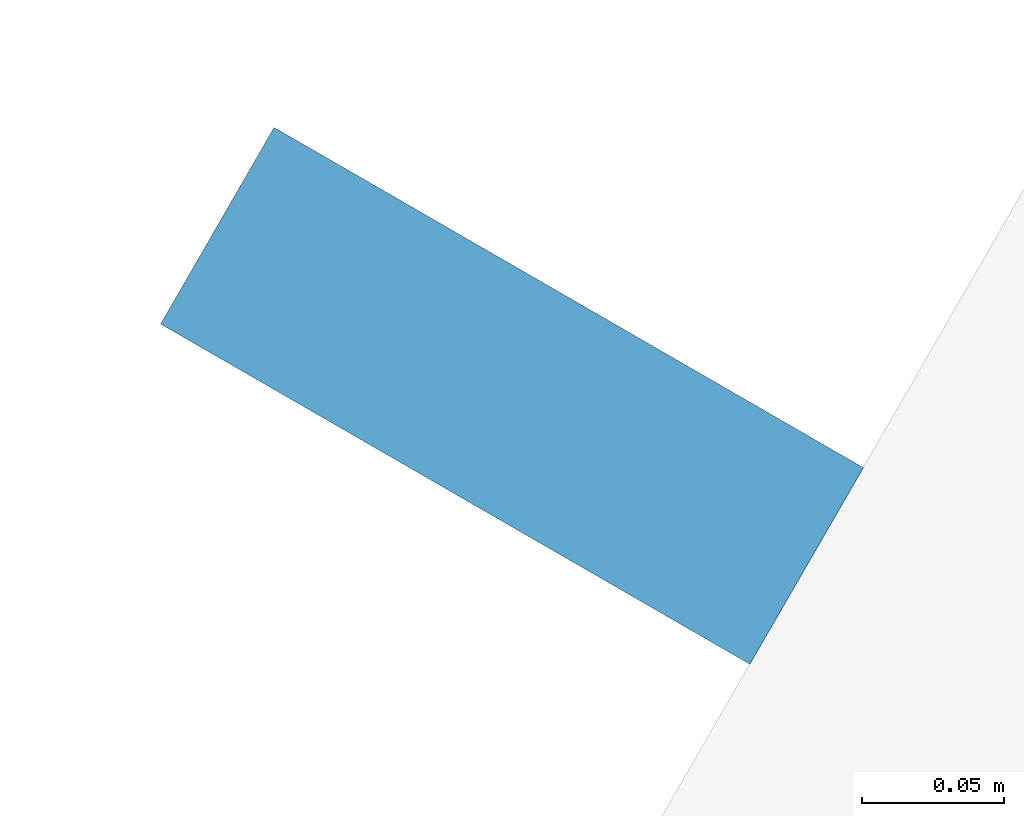
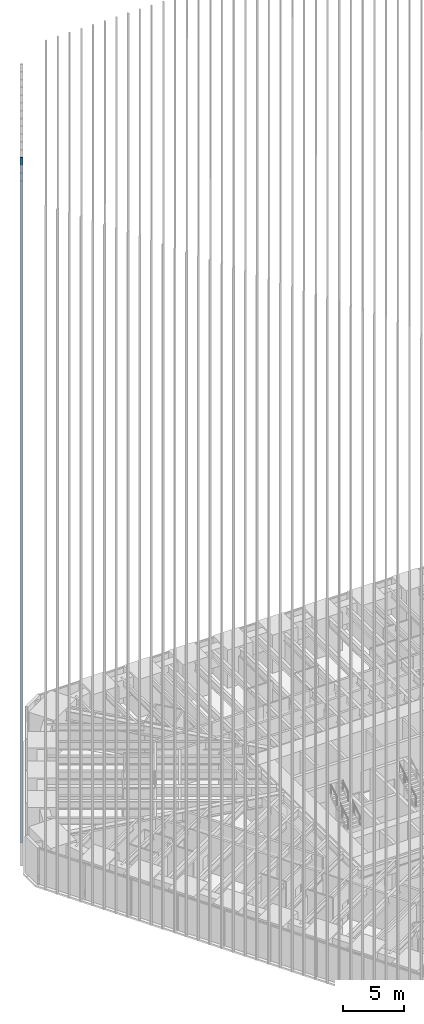
# One storey, part 140 of 256: 1 member, 1 element without a shape of its own.
"""IFC4 building model written with IfcOpenShell, lengths in metres."""

from ifc_helpers import new_model, si_unit, direction, frame, origin, origin_2d, place, context, subcontext, project, spatial, rectangle, extrude, material, material_profile, profile_set, type_object, element, aggregate, save


model = new_model("IFC4")

# Units and contexts
model_context = context("Model", 3, precision=1e-05, world=origin(), true_north=direction((0.0, 1.0)))
body_context = subcontext(model_context, "Body", "Model", "MODEL_VIEW")
ifc_project = project(units=[si_unit("LENGTHUNIT", "METRE"), si_unit("AREAUNIT", "SQUARE_METRE"), si_unit("VOLUMEUNIT", "CUBIC_METRE"), si_unit("PLANEANGLEUNIT", "RADIAN"), si_unit("MASSUNIT", "GRAM", prefix="KILO")], contexts=[model_context])

# Site, building, storey
site_placement = place(None, origin())
site = spatial("IfcSite", under=ifc_project, at=site_placement, CompositionType="ELEMENT")
building_placement = place(site_placement, origin())
building = spatial("IfcBuilding", under=site, at=building_placement, Name="Sandreach Pilgrim Tower", CompositionType="ELEMENT")
storey_placement = place(building_placement, frame((0.0, 0.0, 23.0)))
storey = spatial("IfcBuildingStorey", under=building, at=storey_placement, Name="L04", CompositionType="ELEMENT", Elevation=23.0)

# Curtain wall, member
ifc_material_1 = material(Name="Aluminium framed curtain wall", Category="aluminium")
curtain_wall_type = type_object("IfcCurtainWallType", Name="Hostel tower curtain wall", PredefinedType="NOTDEFINED", material=ifc_material_1)
curtain_wall_placement = place(storey_placement, origin())
curtain_wall = element("IfcCurtainWall", 1, at=curtain_wall_placement, inside=storey, type_object=curtain_wall_type, Name="CW-1 L04 NW", PredefinedType="NOTDEFINED")
ifc_material_2 = material(Name="Extruded terracotta on aluminium core", Category="masonry")
ifc_material_profile = material_profile(ifc_material_2, rectangle(XDim=0.080078125, YDim=0.239990234375, at=origin_2d()), Name="TBW 80X240")
ifc_profile_set = profile_set([ifc_material_profile], Name="Extruded terracotta on aluminium core")
member_type = type_object("IfcMemberType", Name="Terracotta baguette west", PredefinedType="USERDEFINED", material=ifc_profile_set)
member_placement = place(storey_placement, frame((-28.845947265625, 10.89892578125, 0.0), z_axis=(0.0, 0.0, 1.0), x_axis=(0.5, 0.866025403784, 0.0)))
member = element("IfcMember", 2, at=member_placement, type_object=member_type, Name="Baguette Z1 NW04", ObjectType="BAGUETTE", PredefinedType="USERDEFINED", context=body_context, shape_type="SweptSolid", body=[
    extrude(rectangle(XDim=0.080078125, YDim=0.239990234375, at=origin_2d()), origin(), (0.0, 0.0, 1.0), 68.239990234375),
])
aggregate(curtain_wall, [member])

save(model, "model.ifc")
